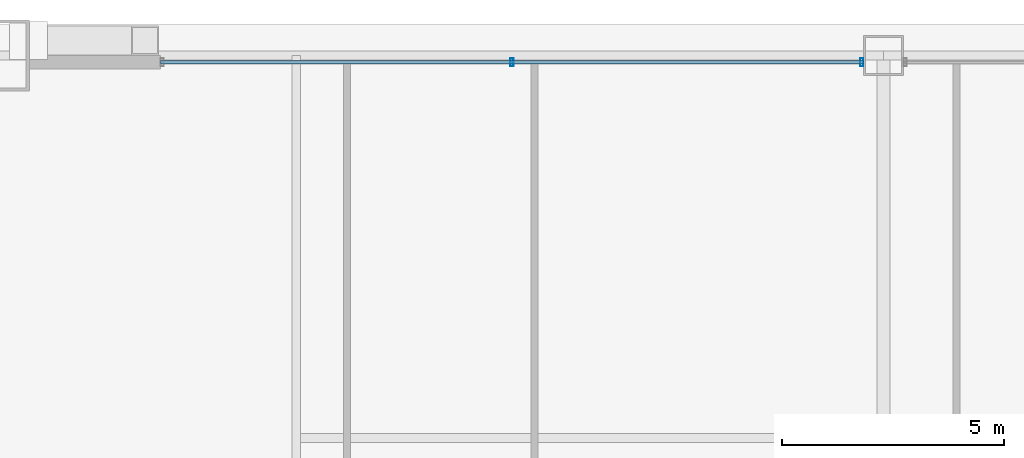
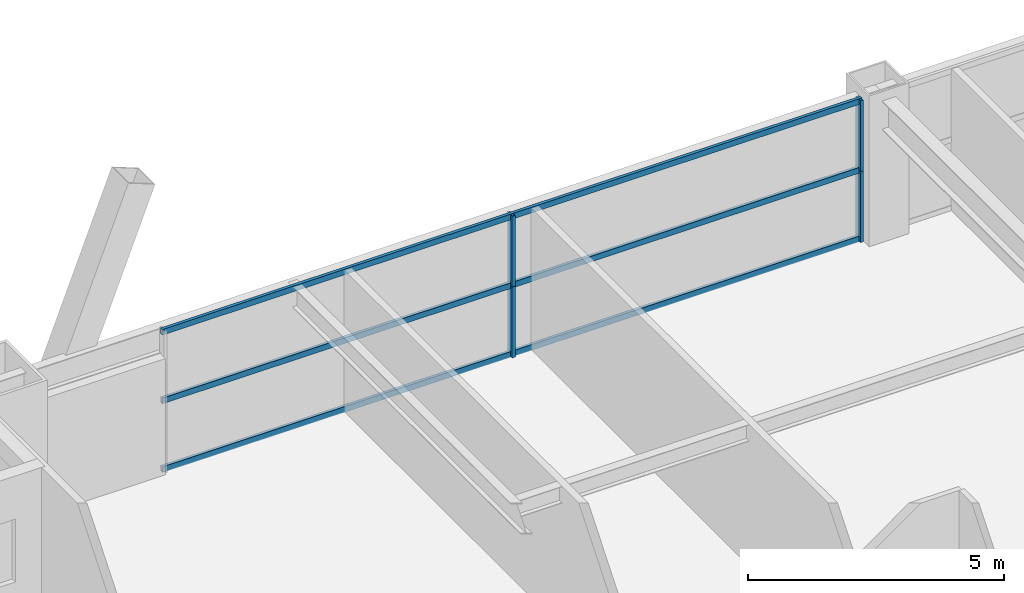
# One storey, part 28 of 42: 7 members, 1 element without a shape of its own.
"""IFC4 building model written with IfcOpenShell, lengths in metres."""

from ifc_helpers import new_model, si_unit, direction, frame, origin, origin_2d, place, context, subcontext, project, spatial, hollow_rectangle, extrude, source, transform, mapped, material, layer, layer_set, material_profile, profile_set, type_object, element, aggregate, save


model = new_model("IFC4")

# Units and contexts
model_context = context("Model", 3, precision=1e-05, world=origin(), true_north=direction((0.0, 1.0)))
body_context = subcontext(model_context, "Body", "Model", "MODEL_VIEW")
ifc_project = project(units=[si_unit("LENGTHUNIT", "METRE"), si_unit("AREAUNIT", "SQUARE_METRE"), si_unit("VOLUMEUNIT", "CUBIC_METRE"), si_unit("PLANEANGLEUNIT", "RADIAN"), si_unit("MASSUNIT", "GRAM", prefix="KILO"), si_unit("THERMODYNAMICTEMPERATUREUNIT", "KELVIN"), si_unit("POWERUNIT", "WATT")], contexts=[model_context])

# Site, building, storey
site_placement = place(None, origin())
site = spatial("IfcSite", under=ifc_project, at=site_placement, CompositionType="ELEMENT")
building_placement = place(site_placement, origin())
building = spatial("IfcBuilding", under=site, at=building_placement, Name="Yuzanri Waterfront Tower", CompositionType="ELEMENT")
storey_placement = place(building_placement, frame((0.0, 0.0, 145.199951171875)))
storey = spatial("IfcBuildingStorey", under=building, at=storey_placement, Name="L38", CompositionType="ELEMENT", Elevation=145.199951171875)

# Curtain wall, members
ifc_material_1 = material(Name="Anodized Architectural Bronze", Category="metal")
ifc_layer = layer(ifc_material_1, 0.159912109375)
ifc_layer_set = layer_set([ifc_layer], Name="Anodized Architectural Bronze")
curtain_wall_type = type_object("IfcCurtainWallType", Name="Anodized Bronze Hotel Upper-Tier Solar-Control Unitized Curtain Wall 7800", PredefinedType="NOTDEFINED", material=ifc_layer_set)
curtain_wall_placement = place(storey_placement, origin())
curtain_wall = element("IfcCurtainWall", 1, at=curtain_wall_placement, inside=storey, type_object=curtain_wall_type, Name="L38 Curtain Wall CW-L38-NL", PredefinedType="NOTDEFINED")
ifc_material_2 = material(Name="Anodized Architectural Bronze", Category="metal")
ifc_material_profile_1 = material_profile(ifc_material_2, hollow_rectangle(XDim=0.070068359375, YDim=0.179931640625, WallThickness=0.00390625, at=origin_2d()), Name="CWM 70x180")
ifc_profile_set_1 = profile_set([ifc_material_profile_1], Name="Anodized Architectural Bronze")
member_type_1 = type_object("IfcMemberType", Name="Anodized Bronze Standard Curtain-Wall Mullion 70x180", PredefinedType="MULLION", material=ifc_profile_set_1)
shared_shape_1 = source(origin(), body_context, "Body", "SweptSolid", [
    extrude(hollow_rectangle(XDim=0.070068359375, YDim=0.179931640625, WallThickness=0.00390625, at=origin_2d()), origin(), (0.0, 0.0, 1.0), 1.68798828125),
])
member_1_placement = place(storey_placement, frame((28.64990234375, 49.25, 0.0), z_axis=(0.0, 0.0, 1.0), x_axis=(1.0, 0.0, 0.0)))
member_1 = element("IfcMember", 2, at=member_1_placement, type_object=member_type_1, Name="CW-L38-NL Lower Mullion 01", PredefinedType="MULLION", context=body_context, shape_type="MappedRepresentation", body=[
    mapped(shared_shape_1, transform((0.0, 0.0, 0.0), scale=1.0)),
])
member_2_placement = place(storey_placement, frame((28.64990234375, 49.25, 1.692138671875), z_axis=(0.0, 0.0, 1.0), x_axis=(1.0, 0.0, 0.0)))
member_2 = element("IfcMember", 3, at=member_2_placement, type_object=member_type_1, Name="CW-L38-NL Upper Mullion 01", PredefinedType="MULLION", context=body_context, shape_type="MappedRepresentation", body=[
    mapped(shared_shape_1, transform((0.0, 0.0, 0.0), scale=1.0)),
])
member_3_placement = place(storey_placement, frame((36.510009765625, 49.25, 0.0), z_axis=(0.0, 0.0, 1.0), x_axis=(1.0, 0.0, 0.0)))
member_3 = element("IfcMember", 4, at=member_3_placement, type_object=member_type_1, Name="CW-L38-NL Lower Mullion 02", PredefinedType="MULLION", context=body_context, shape_type="MappedRepresentation", body=[
    mapped(shared_shape_1, transform((0.0, 0.0, 0.0), scale=1.0)),
])
member_4_placement = place(storey_placement, frame((36.510009765625, 49.25, 1.692138671875), z_axis=(0.0, 0.0, 1.0), x_axis=(1.0, 0.0, 0.0)))
member_4 = element("IfcMember", 5, at=member_4_placement, type_object=member_type_1, Name="CW-L38-NL Upper Mullion 02", PredefinedType="MULLION", context=body_context, shape_type="MappedRepresentation", body=[
    mapped(shared_shape_1, transform((0.0, 0.0, 0.0), scale=1.0)),
])
ifc_material_3 = material(Name="Anodized Architectural Bronze", Category="metal")
ifc_material_profile_2 = material_profile(ifc_material_3, hollow_rectangle(XDim=0.070068359375, YDim=0.135009765625, WallThickness=0.00341796875, at=origin_2d()), Name="CWT 70x135")
ifc_profile_set_2 = profile_set([ifc_material_profile_2], Name="Anodized Architectural Bronze")
member_type_2 = type_object("IfcMemberType", Name="Anodized Bronze Standard Curtain-Wall Transom 70x135", PredefinedType="USERDEFINED", material=ifc_profile_set_2)
shared_shape_2 = source(origin(), body_context, "Body", "SweptSolid", [
    extrude(hollow_rectangle(XDim=0.070068359375, YDim=0.135009765625, WallThickness=0.00341796875, at=origin_2d()), origin(), (0.0, 0.0, 1.0), 15.800048828125),
])
member_5_placement = place(storey_placement, frame((20.75, 49.25, 0.050048828125), z_axis=(1.0, 0.0, 0.0), x_axis=(0.0, 1.0, 0.0)))
member_5 = element("IfcMember", 6, at=member_5_placement, type_object=member_type_2, Name="CW-L38-NL Transom 1", ObjectType="TRANSOM", PredefinedType="USERDEFINED", context=body_context, shape_type="MappedRepresentation", body=[
    mapped(shared_shape_2, transform((0.0, 0.0, 0.0), scale=1.0)),
])
member_6_placement = place(storey_placement, frame((20.75, 49.25, 1.68994140625), z_axis=(1.0, 0.0, 0.0), x_axis=(0.0, 1.0, 0.0)))
member_6 = element("IfcMember", 7, at=member_6_placement, type_object=member_type_2, Name="CW-L38-NL Transom 2", ObjectType="TRANSOM", PredefinedType="USERDEFINED", context=body_context, shape_type="MappedRepresentation", body=[
    mapped(shared_shape_2, transform((0.0, 0.0, 0.0), scale=1.0)),
])
member_7_placement = place(storey_placement, frame((20.75, 49.25, 3.330078125), z_axis=(1.0, 0.0, 0.0), x_axis=(0.0, 1.0, 0.0)))
member_7 = element("IfcMember", 8, at=member_7_placement, type_object=member_type_2, Name="CW-L38-NL Transom 3", ObjectType="TRANSOM", PredefinedType="USERDEFINED", context=body_context, shape_type="MappedRepresentation", body=[
    mapped(shared_shape_2, transform((0.0, 0.0, 0.0), scale=1.0)),
])
aggregate(curtain_wall, [member_1, member_2, member_3, member_4, member_5, member_6, member_7])

save(model, "model.ifc")
